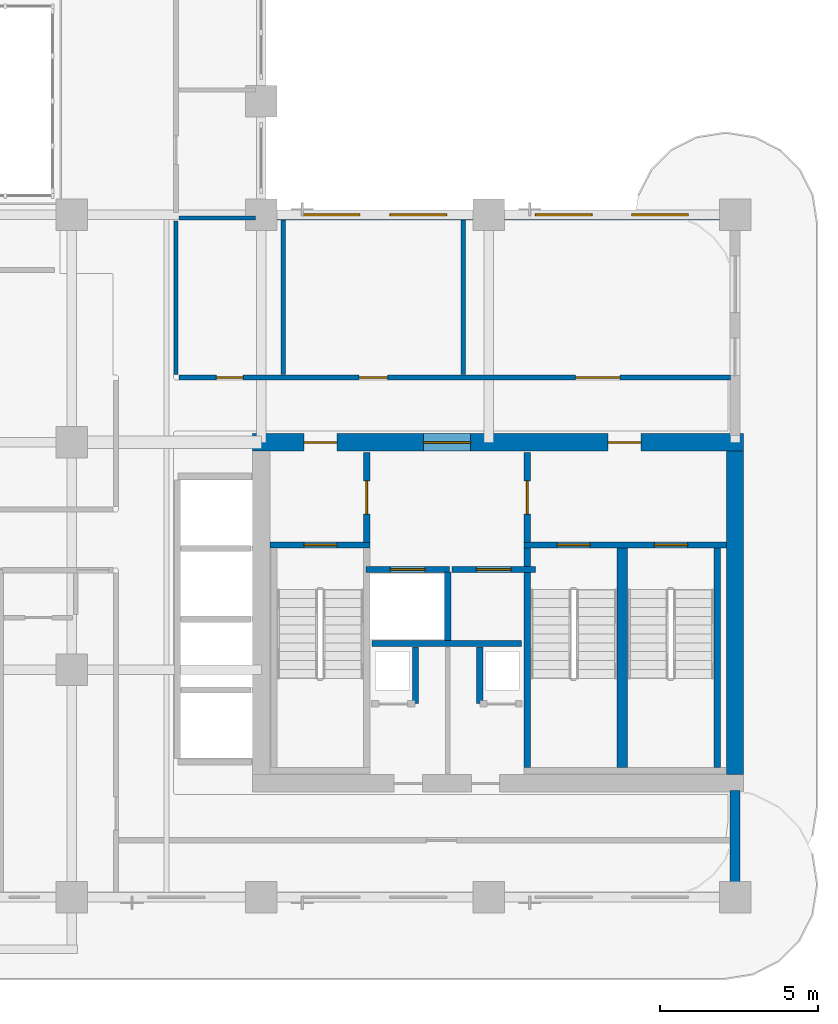
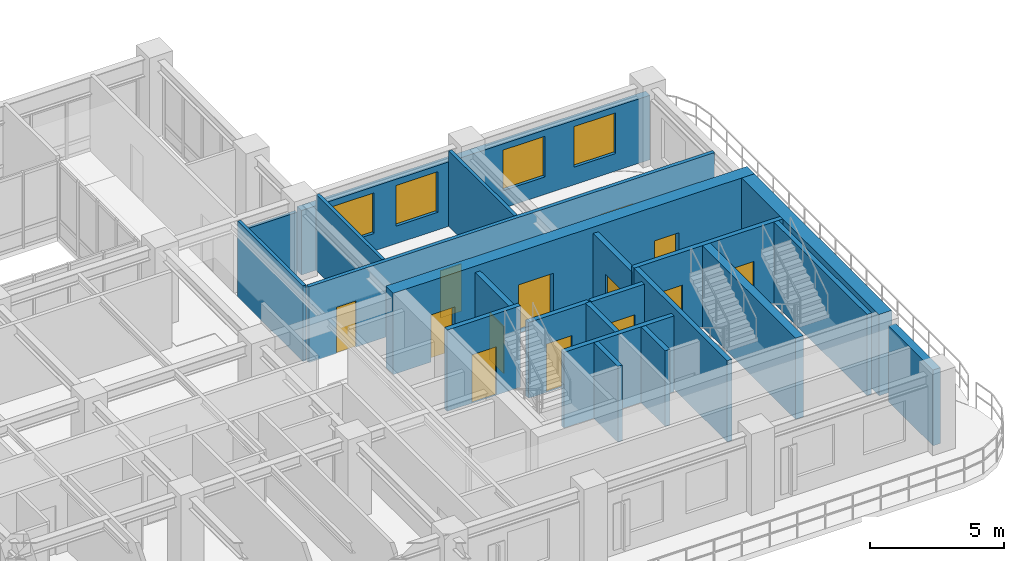
# One storey, part 13 of 20: 22 walls, 13 doors, 4 windows, 17 openings.
"""IFC4 building model written with IfcOpenShell, lengths in metres."""

from ifc_helpers import new_model, si_unit, derived_unit, direction, frame, frame_2d, origin, place, context, subcontext, project, spatial, rectangle, extrude, source, transform, mapped, material, layer, layer_set, type_object, type_shapes, element, fill, save


model = new_model("IFC4")

# Units and contexts
model_context = context("Model", 3, precision=1e-05, world=origin(), true_north=direction((0.0, 1.0)))
body_context = subcontext(model_context, "Body", "Model", "MODEL_VIEW")
ifc_project = project(units=[si_unit("LENGTHUNIT", "METRE"), si_unit("AREAUNIT", "SQUARE_METRE"), si_unit("VOLUMEUNIT", "CUBIC_METRE"), si_unit("PLANEANGLEUNIT", "RADIAN"), si_unit("MASSUNIT", "GRAM", prefix="KILO"), si_unit("THERMODYNAMICTEMPERATUREUNIT", "KELVIN"), si_unit("POWERUNIT", "WATT"), derived_unit("THERMALTRANSMITTANCEUNIT", [(si_unit("POWERUNIT", "WATT"), 1), (si_unit("AREAUNIT", "SQUARE_METRE"), -1), (si_unit("THERMODYNAMICTEMPERATUREUNIT", "KELVIN"), -1)])], contexts=[model_context])

# Site, building, storey
site_placement = place(None, origin())
site = spatial("IfcSite", under=ifc_project, at=site_placement, CompositionType="ELEMENT")
building_placement = place(site_placement, origin())
building = spatial("IfcBuilding", under=site, at=building_placement, Name="Zahravan Archway Hotel and Residences", CompositionType="ELEMENT")
storey_placement = place(building_placement, frame((0.0, 0.0, 122.89990234375)))
storey = spatial("IfcBuildingStorey", under=building, at=storey_placement, Name="L30", CompositionType="ELEMENT", Elevation=122.89990234375)

# Wall, openings, doors
ifc_material_1 = material(Name="Concrete C70/85", Category="concrete")
ifc_layer_1 = layer(ifc_material_1, 0.550048828125, Name="Concrete C70/85", Category="concrete")
ifc_layer_set_1 = layer_set([ifc_layer_1], Name="Concrete C70/85")
wall_type_1 = type_object("IfcWallType", Name="CW-CORE-550", PredefinedType="SHEAR", material=ifc_layer_set_1)
wall_1_placement = place(storey_placement, frame((34.52490234375, 14.39990234375, 0.0), z_axis=(0.0, 0.0, 1.0), x_axis=(1.0, 0.0, 0.0)))
wall_1 = element("IfcWall", 1, at=wall_1_placement, inside=storey, type_object=wall_type_1, Name="L30 Core A Shear N Wall 550 mm", PredefinedType="SHEAR", context=body_context, shape_type="SweptSolid", body=[
    extrude(rectangle(XDim=15.550048828125, YDim=0.550048828125, at=frame_2d((7.77490234375, 0.0))), origin(), (0.0, 0.0, 1.0), 3.7001953125),
])
opening_1_placement = place(wall_1_placement, frame((5.405029296875, 0.0, 0.0)))
opening_1 = element("IfcOpeningElement", 2, at=opening_1_placement, cuts=wall_1, Name="Opening FD-L1", PredefinedType="OPENING", context=body_context, shape_type="SweptSolid", body=[
    extrude(rectangle(XDim=1.5, YDim=2.199951171875, at=frame_2d((0.75, 1.10009765625))), frame((0.0, 0.28515625, 0.0), z_axis=(0.0, -1.0, 0.0), x_axis=(1.0, 0.0, 0.0)), (0.0, 0.0, 1.0), 0.570068359375),
])
opening_2_placement = place(wall_1_placement, frame((1.6201171875, 0.0, 0.0)))
opening_2 = element("IfcOpeningElement", 3, at=opening_2_placement, cuts=wall_1, Name="Opening FD-L2", PredefinedType="OPENING", context=body_context, shape_type="SweptSolid", body=[
    extrude(rectangle(XDim=1.050048828125, YDim=2.14990234375, at=frame_2d((0.52490234375, 1.074951171875))), frame((0.0, 0.28515625, 0.0), z_axis=(0.0, -1.0, 0.0), x_axis=(1.0, 0.0, 0.0)), (0.0, 0.0, 1.0), 0.570068359375),
])
opening_3_placement = place(wall_1_placement, frame((11.25, 0.0, 0.0)))
opening_3 = element("IfcOpeningElement", 4, at=opening_3_placement, cuts=wall_1, Name="Opening FD-L2", PredefinedType="OPENING", context=body_context, shape_type="SweptSolid", body=[
    extrude(rectangle(XDim=1.050048828125, YDim=2.14990234375, at=frame_2d((0.52490234375, 1.074951171875))), frame((0.0, 0.28515625, 0.0), z_axis=(0.0, -1.0, 0.0), x_axis=(1.0, 0.0, 0.0)), (0.0, 0.0, 1.0), 0.570068359375),
])
ifc_material_2 = material(Name="Fire-Rated Painted Steel", Category="steel")
door_type_1 = type_object("IfcDoorType", Name="FD-LOBBY-1100", OperationType="NOTDEFINED", PredefinedType="DOOR", material=ifc_material_2)
shared_shape_1 = source(origin(), body_context, "Body", "SweptSolid", [
    extrude(rectangle(XDim=1.050048828125, YDim=2.14990234375, at=frame_2d((0.52490234375, 1.074951171875))), frame((0.0, 0.02490234375, 0.0), z_axis=(0.0, -1.0, 0.0), x_axis=(1.0, 0.0, 0.0)), (0.0, 0.0, 1.0), 0.050048828125),
])
type_shapes(door_type_1, [shared_shape_1])
door_1_placement = place(opening_2_placement, origin())
door_1 = element("IfcDoor", 5, at=door_1_placement, inside=storey, type_object=door_type_1, Name="L30 Core A West Stair Lobby Door", OperationType="SINGLE_SWING_RIGHT", OverallHeight=2.14990234375, OverallWidth=1.050048828125, PredefinedType="DOOR", context=body_context, shape_type="MappedRepresentation", body=[
    mapped(shared_shape_1, transform((0.0, 0.0, 0.0), scale=1.0)),
])
fill(opening_2, door_1)
door_2_placement = place(opening_3_placement, origin())
door_2 = element("IfcDoor", 6, at=door_2_placement, inside=storey, type_object=door_type_1, Name="L30 Core A East Stair Lobby Door", OperationType="SINGLE_SWING_LEFT", OverallHeight=2.14990234375, OverallWidth=1.050048828125, PredefinedType="DOOR", context=body_context, shape_type="MappedRepresentation", body=[
    mapped(shared_shape_1, transform((0.0, 0.0, 0.0), scale=1.0)),
])
fill(opening_3, door_2)
door_type_2 = type_object("IfcDoorType", Name="FD-LOBBY-1500", OperationType="DOUBLE_DOOR_SINGLE_SWING", PredefinedType="DOOR", material=ifc_material_2)
shared_shape_2 = source(origin(), body_context, "Body", "SweptSolid", [
    extrude(rectangle(XDim=1.5, YDim=2.199951171875, at=frame_2d((0.75, 1.10009765625))), frame((0.0, 0.02490234375, 0.0), z_axis=(0.0, -1.0, 0.0), x_axis=(1.0, 0.0, 0.0)), (0.0, 0.0, 1.0), 0.050048828125),
])
type_shapes(door_type_2, [shared_shape_2])
door_3_placement = place(opening_1_placement, origin())
door_3 = element("IfcDoor", 7, at=door_3_placement, inside=storey, type_object=door_type_2, Name="L30 Core A FSAE Lobby Main Door", OperationType="DOUBLE_DOOR_SINGLE_SWING", OverallHeight=2.199951171875, OverallWidth=1.5, PredefinedType="DOOR", context=body_context, shape_type="MappedRepresentation", body=[
    mapped(shared_shape_2, transform((0.0, 0.0, 0.0), scale=1.0)),
])
fill(opening_1, door_3)

# Walls
wall_2_placement = place(storey_placement, frame((49.800048828125, 3.875, 0.0), z_axis=(0.0, 0.0, 1.0), x_axis=(0.0, 1.0, 0.0)))
element("IfcWall", 8, at=wall_2_placement, inside=storey, type_object=wall_type_1, Name="L30 Core A Shear E Wall 550 mm", PredefinedType="SHEAR", context=body_context, shape_type="SweptSolid", body=[
    extrude(rectangle(XDim=10.25, YDim=0.550048828125, at=frame_2d((5.125, 0.0))), origin(), (0.0, 0.0, 1.0), 3.7001953125),
])
ifc_material_3 = material(Name="Agra Buff Sandstone & Insulated Backup", Category="masonry")
ifc_layer_2 = layer(ifc_material_3, 0.320068359375, Name="Agra Buff Sandstone & Insulated Backup", Category="masonry")
ifc_layer_set_2 = layer_set([ifc_layer_2], Name="Agra Buff Sandstone & Insulated Backup")
wall_type_2 = type_object("IfcWallType", Name="EW-SAND-320", PredefinedType="SOLIDWALL", material=ifc_layer_set_2)
wall_3_placement = place(storey_placement, frame((49.800048828125, 0.050048828125, 0.0), z_axis=(0.0, 0.0, 1.0), x_axis=(0.0, 1.0, 0.0)))
element("IfcWall", 9, at=wall_3_placement, inside=storey, type_object=wall_type_2, Name="L30 Exterior Sandstone Wall WA-ES", PredefinedType="SOLIDWALL", context=body_context, shape_type="SweptSolid", body=[
    extrude(rectangle(XDim=3.329833984375, YDim=0.320068359375, at=frame_2d((1.6650390625, 0.0))), origin(), (0.0, 0.0, 1.0), 3.4501953125),
])

# Wall, openings, windows
wall_4_placement = place(storey_placement, frame((34.800048828125, 21.60009765625, 0.0), z_axis=(0.0, 0.0, 1.0), x_axis=(1.0, 0.0, 0.0)))
wall_4 = element("IfcWall", 10, at=wall_4_placement, inside=storey, type_object=wall_type_2, Name="L30 Exterior Sandstone Wall WA-NE", PredefinedType="SOLIDWALL", context=body_context, shape_type="SweptSolid", body=[
    extrude(rectangle(XDim=15.0, YDim=0.320068359375, at=frame_2d((7.5, 0.0))), origin(), (0.0, 0.0, 1.0), 2.93505859375),
])
opening_4_placement = place(wall_4_placement, frame((1.322998046875, 0.0, 0.800048828125)))
opening_4 = element("IfcOpeningElement", 11, at=opening_4_placement, cuts=wall_4, Name="Opening W-02", PredefinedType="OPENING", context=body_context, shape_type="SweptSolid", body=[
    extrude(rectangle(XDim=1.800048828125, YDim=1.85009765625, at=frame_2d((0.89990234375, 0.925048828125))), frame((0.0, 0.169921875, 0.0), z_axis=(0.0, -1.0, 0.0), x_axis=(1.0, 0.0, 0.0)), (0.0, 0.0, 1.0), 0.340087890625),
])
opening_5_placement = place(wall_4_placement, frame((4.069091796875, 0.0, 0.800048828125)))
opening_5 = element("IfcOpeningElement", 12, at=opening_5_placement, cuts=wall_4, Name="Opening W-02", PredefinedType="OPENING", context=body_context, shape_type="SweptSolid", body=[
    extrude(rectangle(XDim=1.800048828125, YDim=1.85009765625, at=frame_2d((0.89990234375, 0.925048828125))), frame((0.0, 0.169921875, 0.0), z_axis=(0.0, -1.0, 0.0), x_axis=(1.0, 0.0, 0.0)), (0.0, 0.0, 1.0), 0.340087890625),
])
opening_6_placement = place(wall_4_placement, frame((8.675048828125, 0.0, 0.800048828125)))
opening_6 = element("IfcOpeningElement", 13, at=opening_6_placement, cuts=wall_4, Name="Opening W-02", PredefinedType="OPENING", context=body_context, shape_type="SweptSolid", body=[
    extrude(rectangle(XDim=1.800048828125, YDim=1.85009765625, at=frame_2d((0.89990234375, 0.925048828125))), frame((0.0, 0.169921875, 0.0), z_axis=(0.0, -1.0, 0.0), x_axis=(1.0, 0.0, 0.0)), (0.0, 0.0, 1.0), 0.340087890625),
])
opening_7_placement = place(wall_4_placement, frame((11.72509765625, 0.0, 0.800048828125)))
opening_7 = element("IfcOpeningElement", 14, at=opening_7_placement, cuts=wall_4, Name="Opening W-02", PredefinedType="OPENING", context=body_context, shape_type="SweptSolid", body=[
    extrude(rectangle(XDim=1.800048828125, YDim=1.85009765625, at=frame_2d((0.89990234375, 0.925048828125))), frame((0.0, 0.169921875, 0.0), z_axis=(0.0, -1.0, 0.0), x_axis=(1.0, 0.0, 0.0)), (0.0, 0.0, 1.0), 0.340087890625),
])
ifc_material_4 = material(Name="Bronze-Anodized Thermal-Break Aluminium & Low-E Glass", Category="aluminium")
window_type = type_object("IfcWindowType", Name="WIN-TWR-1800", PartitioningType="DOUBLE_PANEL_VERTICAL", PredefinedType="WINDOW", material=ifc_material_4)
shared_shape_3 = source(origin(), body_context, "Body", "SweptSolid", [
    extrude(rectangle(XDim=1.800048828125, YDim=1.85009765625, at=frame_2d((0.89990234375, 0.925048828125))), frame((0.0, 0.030029296875, 0.0), z_axis=(0.0, -1.0, 0.0), x_axis=(1.0, 0.0, 0.0)), (0.0, 0.0, 1.0), 0.06005859375),
])
type_shapes(window_type, [shared_shape_3])
window_1_placement = place(opening_4_placement, origin())
window_1 = element("IfcWindow", 15, at=window_1_placement, inside=storey, type_object=window_type, Name="L30 Loggia Window 12", OverallHeight=1.85009765625, OverallWidth=1.800048828125, PartitioningType="DOUBLE_PANEL_VERTICAL", PredefinedType="WINDOW", context=body_context, shape_type="MappedRepresentation", body=[
    mapped(shared_shape_3, transform((0.0, 0.0, 0.0), scale=1.0)),
])
fill(opening_4, window_1)
window_2_placement = place(opening_5_placement, origin())
window_2 = element("IfcWindow", 16, at=window_2_placement, inside=storey, type_object=window_type, Name="L30 Loggia Window 13", OverallHeight=1.85009765625, OverallWidth=1.800048828125, PartitioningType="DOUBLE_PANEL_VERTICAL", PredefinedType="WINDOW", context=body_context, shape_type="MappedRepresentation", body=[
    mapped(shared_shape_3, transform((0.0, 0.0, 0.0), scale=1.0)),
])
fill(opening_5, window_2)
window_3_placement = place(opening_6_placement, origin())
window_3 = element("IfcWindow", 17, at=window_3_placement, inside=storey, type_object=window_type, Name="L30 Loggia Window 14", OverallHeight=1.85009765625, OverallWidth=1.800048828125, PartitioningType="DOUBLE_PANEL_VERTICAL", PredefinedType="WINDOW", context=body_context, shape_type="MappedRepresentation", body=[
    mapped(shared_shape_3, transform((0.0, 0.0, 0.0), scale=1.0)),
])
fill(opening_6, window_3)
window_4_placement = place(opening_7_placement, origin())
window_4 = element("IfcWindow", 18, at=window_4_placement, inside=storey, type_object=window_type, Name="L30 Loggia Window 15", OverallHeight=1.85009765625, OverallWidth=1.800048828125, PartitioningType="DOUBLE_PANEL_VERTICAL", PredefinedType="WINDOW", context=body_context, shape_type="MappedRepresentation", body=[
    mapped(shared_shape_3, transform((0.0, 0.0, 0.0), scale=1.0)),
])
fill(opening_7, window_4)

# Wall, opening, door
ifc_material_5 = material(Name="Fire-Rated Gypsum & Concrete Block", Category="concrete")
ifc_layer_3 = layer(ifc_material_5, 0.219970703125, Name="Fire-Rated Gypsum & Concrete Block", Category="concrete")
ifc_layer_set_3 = layer_set([ifc_layer_3], Name="Fire-Rated Gypsum & Concrete Block")
wall_type_3 = type_object("IfcWallType", Name="PW-COMP-220", PredefinedType="PARTITIONING", material=ifc_layer_set_3)
wall_5_placement = place(storey_placement, frame((38.139892578125, 11.219970703125, 0.0), z_axis=(0.0, 0.0, 1.0), x_axis=(0.0, 1.0, 0.0)))
wall_5 = element("IfcWall", 19, at=wall_5_placement, inside=storey, type_object=wall_type_3, Name="L30 Partition CA-LOBW", PredefinedType="PARTITIONING", context=body_context, shape_type="SweptSolid", body=[
    extrude(rectangle(XDim=2.860107421875, YDim=0.219970703125, at=frame_2d((1.43017578125, 0.0))), origin(), (0.0, 0.0, 1.0), 3.4501953125),
])
opening_8_placement = place(wall_5_placement, frame((0.905029296875, 0.0, 0.0)))
opening_8 = element("IfcOpeningElement", 20, at=opening_8_placement, cuts=wall_5, Name="Opening FD-L2", PredefinedType="OPENING", context=body_context, shape_type="SweptSolid", body=[
    extrude(rectangle(XDim=1.050048828125, YDim=2.14990234375, at=frame_2d((0.52490234375, 1.074951171875))), frame((0.0, 0.1201171875, 0.0), z_axis=(0.0, -1.0, 0.0), x_axis=(1.0, 0.0, 0.0)), (0.0, 0.0, 1.0), 0.239990234375),
])
door_4_placement = place(opening_8_placement, origin())
door_4 = element("IfcDoor", 21, at=door_4_placement, inside=storey, type_object=door_type_1, Name="L30 Core A West Stair to FSAE Lobby Door", OperationType="SINGLE_SWING_RIGHT", OverallHeight=2.14990234375, OverallWidth=1.050048828125, PredefinedType="DOOR", context=body_context, shape_type="MappedRepresentation", body=[
    mapped(shared_shape_1, transform((0.0, 0.0, 0.0), scale=1.0)),
])
fill(opening_8, door_4)

wall_6_placement = place(storey_placement, frame((43.219970703125, 11.219970703125, 0.0), z_axis=(0.0, 0.0, 1.0), x_axis=(0.0, 1.0, 0.0)))
wall_6 = element("IfcWall", 22, at=wall_6_placement, inside=storey, type_object=wall_type_3, Name="L30 Partition CA-LOBE", PredefinedType="PARTITIONING", context=body_context, shape_type="SweptSolid", body=[
    extrude(rectangle(XDim=2.860107421875, YDim=0.219970703125, at=frame_2d((1.43017578125, 0.0))), origin(), (0.0, 0.0, 1.0), 3.4501953125),
])
opening_9_placement = place(wall_6_placement, frame((0.905029296875, 0.0, 0.0)))
opening_9 = element("IfcOpeningElement", 23, at=opening_9_placement, cuts=wall_6, Name="Opening FD-L2", PredefinedType="OPENING", context=body_context, shape_type="SweptSolid", body=[
    extrude(rectangle(XDim=1.050048828125, YDim=2.14990234375, at=frame_2d((0.52490234375, 1.074951171875))), frame((0.0, 0.1201171875, 0.0), z_axis=(0.0, -1.0, 0.0), x_axis=(1.0, 0.0, 0.0)), (0.0, 0.0, 1.0), 0.239990234375),
])
door_5_placement = place(opening_9_placement, origin())
door_5 = element("IfcDoor", 24, at=door_5_placement, inside=storey, type_object=door_type_1, Name="L30 Core A East Stair to FSAE Lobby Door", OperationType="SINGLE_SWING_LEFT", OverallHeight=2.14990234375, OverallWidth=1.050048828125, PredefinedType="DOOR", context=body_context, shape_type="MappedRepresentation", body=[
    mapped(shared_shape_1, transform((0.0, 0.0, 0.0), scale=1.0)),
])
fill(opening_9, door_5)

# Wall, openings, doors
ifc_layer_4 = layer(ifc_material_5, 0.159912109375, Name="Fire-Rated Gypsum & Concrete Block", Category="concrete")
ifc_layer_set_4 = layer_set([ifc_layer_4], Name="Fire-Rated Gypsum & Concrete Block")
wall_type_4 = type_object("IfcWallType", Name="PW-CORR-160", PredefinedType="PARTITIONING", material=ifc_layer_set_4)
wall_7_placement = place(storey_placement, frame((32.18994140625, 16.449951171875, 0.0), z_axis=(0.0, 0.0, 1.0), x_axis=(1.0, 0.0, 0.0)))
wall_7 = element("IfcWall", 25, at=wall_7_placement, inside=storey, type_object=wall_type_4, Name="L30 Partition WA-FN", PredefinedType="PARTITIONING", context=body_context, shape_type="SweptSolid", body=[
    extrude(rectangle(XDim=17.469970703125, YDim=0.159912109375, at=frame_2d((8.73486328125, 0.0))), origin(), (0.0, 0.0, 1.0), 3.4501953125),
])
opening_10_placement = place(wall_7_placement, frame((1.18505859375, 0.0, 0.0)))
opening_10 = element("IfcOpeningElement", 26, at=opening_10_placement, cuts=wall_7, Name="Opening D-B1", PredefinedType="OPENING", context=body_context, shape_type="SweptSolid", body=[
    extrude(rectangle(XDim=0.85009765625, YDim=2.10009765625, at=frame_2d((0.425048828125, 1.050048828125))), frame((0.0, 0.08984375, 0.0), z_axis=(0.0, -1.0, 0.0), x_axis=(1.0, 0.0, 0.0)), (0.0, 0.0, 1.0), 0.179931640625),
])
opening_11_placement = place(wall_7_placement, frame((5.7099609375, 0.0, 0.0)))
opening_11 = element("IfcOpeningElement", 27, at=opening_11_placement, cuts=wall_7, Name="Opening D-I2", PredefinedType="OPENING", context=body_context, shape_type="SweptSolid", body=[
    extrude(rectangle(XDim=0.89990234375, YDim=2.14990234375, at=frame_2d((0.449951171875, 1.074951171875))), frame((0.0, 0.08984375, 0.0), z_axis=(0.0, -1.0, 0.0), x_axis=(1.0, 0.0, 0.0)), (0.0, 0.0, 1.0), 0.179931640625),
])
opening_12_placement = place(wall_7_placement, frame((12.56005859375, 0.0, 0.0)))
opening_12 = element("IfcOpeningElement", 28, at=opening_12_placement, cuts=wall_7, Name="Opening D-P1", PredefinedType="OPENING", context=body_context, shape_type="SweptSolid", body=[
    extrude(rectangle(XDim=1.39990234375, YDim=2.35009765625, at=frame_2d((0.699951171875, 1.175048828125))), frame((0.0, 0.08984375, 0.0), z_axis=(0.0, -1.0, 0.0), x_axis=(1.0, 0.0, 0.0)), (0.0, 0.0, 1.0), 0.179931640625),
])
ifc_material_6 = material(Name="Hardwood Veneer Timber", Category="wood")
door_type_3 = type_object("IfcDoorType", Name="ID-BATH-850", OperationType="NOTDEFINED", PredefinedType="DOOR", material=ifc_material_6)
shared_shape_4 = source(origin(), body_context, "Body", "SweptSolid", [
    extrude(rectangle(XDim=0.85009765625, YDim=2.10009765625, at=frame_2d((0.425048828125, 1.050048828125))), frame((0.0, 0.02490234375, 0.0), z_axis=(0.0, -1.0, 0.0), x_axis=(1.0, 0.0, 0.0)), (0.0, 0.0, 1.0), 0.050048828125),
])
type_shapes(door_type_3, [shared_shape_4])
door_6_placement = place(opening_10_placement, origin())
door_6 = element("IfcDoor", 29, at=door_6_placement, inside=storey, type_object=door_type_3, Name="L30 Accessible Floor Restroom Door", OperationType="SINGLE_SWING_LEFT", OverallHeight=2.10009765625, OverallWidth=0.85009765625, PredefinedType="DOOR", context=body_context, shape_type="MappedRepresentation", body=[
    mapped(shared_shape_4, transform((0.0, 0.0, 0.0), scale=1.0)),
])
fill(opening_10, door_6)
ifc_material_7 = material(Name="Bronze-Anodized Glazed Aluminium", Category="aluminium")
door_type_4 = type_object("IfcDoorType", Name="ID-PUBLIC-1400", OperationType="DOUBLE_DOOR_SINGLE_SWING", PredefinedType="DOOR", material=ifc_material_7)
shared_shape_5 = source(origin(), body_context, "Body", "SweptSolid", [
    extrude(rectangle(XDim=1.39990234375, YDim=2.35009765625, at=frame_2d((0.699951171875, 1.175048828125))), frame((0.0, 0.02490234375, 0.0), z_axis=(0.0, -1.0, 0.0), x_axis=(1.0, 0.0, 0.0)), (0.0, 0.0, 1.0), 0.050048828125),
])
type_shapes(door_type_4, [shared_shape_5])
door_7_placement = place(opening_12_placement, origin())
door_7 = element("IfcDoor", 30, at=door_7_placement, inside=storey, type_object=door_type_4, Name="L30 Co-Working Room Door", OperationType="DOUBLE_DOOR_SINGLE_SWING", OverallHeight=2.35009765625, OverallWidth=1.39990234375, PredefinedType="DOOR", context=body_context, shape_type="MappedRepresentation", body=[
    mapped(shared_shape_5, transform((0.0, 0.0, 0.0), scale=1.0)),
])
fill(opening_12, door_7)
door_type_5 = type_object("IfcDoorType", Name="ID-INT-900", OperationType="NOTDEFINED", PredefinedType="DOOR", material=ifc_material_6)
shared_shape_6 = source(origin(), body_context, "Body", "SweptSolid", [
    extrude(rectangle(XDim=0.89990234375, YDim=2.14990234375, at=frame_2d((0.449951171875, 1.074951171875))), frame((0.0, 0.02490234375, 0.0), z_axis=(0.0, -1.0, 0.0), x_axis=(1.0, 0.0, 0.0)), (0.0, 0.0, 1.0), 0.050048828125),
])
type_shapes(door_type_5, [shared_shape_6])
door_8_placement = place(opening_11_placement, origin())
door_8 = element("IfcDoor", 31, at=door_8_placement, inside=storey, type_object=door_type_5, Name="L30 Tea Servery Door", OperationType="SINGLE_SWING_RIGHT", OverallHeight=2.14990234375, OverallWidth=0.89990234375, PredefinedType="DOOR", context=body_context, shape_type="MappedRepresentation", body=[
    mapped(shared_shape_6, transform((0.0, 0.0, 0.0), scale=1.0)),
])
fill(opening_11, door_8)

# Walls
ifc_layer_5 = layer(ifc_material_5, 0.199951171875, Name="Fire-Rated Gypsum & Concrete Block", Category="concrete")
ifc_layer_set_5 = layer_set([ifc_layer_5], Name="Fire-Rated Gypsum & Concrete Block")
wall_type_5 = type_object("IfcWallType", Name="PW-SHAFT-200", PredefinedType="PARTITIONING", material=ifc_layer_set_5)
wall_8_placement = place(storey_placement, frame((38.300048828125, 8.030029296875, 0.0), z_axis=(0.0, 0.0, 1.0), x_axis=(1.0, 0.0, 0.0)))
element("IfcWall", 32, at=wall_8_placement, inside=storey, type_object=wall_type_5, Name="L30 Partition CA-FLS", PredefinedType="PARTITIONING", context=body_context, shape_type="SweptSolid", body=[
    extrude(rectangle(XDim=4.739990234375, YDim=0.199951171875, at=frame_2d((2.3701171875, 0.0))), origin(), (0.0, 0.0, 1.0), 3.4501953125),
])
wall_9_placement = place(storey_placement, frame((40.699951171875, 8.1201171875, 0.0), z_axis=(0.0, 0.0, 1.0), x_axis=(0.0, 1.0, 0.0)))
element("IfcWall", 33, at=wall_9_placement, inside=storey, type_object=wall_type_5, Name="L30 Partition CA-FLM", PredefinedType="PARTITIONING", context=body_context, shape_type="SweptSolid", body=[
    extrude(rectangle(XDim=2.179931640625, YDim=0.199951171875, at=frame_2d((1.08984375, 0.0))), origin(), (0.0, 0.0, 1.0), 3.4501953125),
])
for number, where, z_axis, x_axis, name in (
    (34, (39.679931640625, 6.1298828125, 0.0), (0.0, 0.0, 1.0), (0.0, 1.0, 0.0), "L30 Partition CA-SMKE"),
    (35, (41.719970703125, 6.1298828125, 0.0), (0.0, 0.0, 1.0), (0.0, 1.0, 0.0), "L30 Partition CA-MEPW"),
):
    element("IfcWall", number, at=place(storey_placement, frame(where, z_axis=z_axis, x_axis=x_axis)), inside=storey, type_object=wall_type_5, Name=name, PredefinedType="PARTITIONING", context=body_context, shape_type="SweptSolid", body=[
        extrude(rectangle(XDim=1.7900390625, YDim=0.199951171875, at=frame_2d((0.89501953125, 0.0))), origin(), (0.0, 0.0, 1.0), 3.4501953125),
    ])

# Wall, opening, door
wall_10_placement = place(storey_placement, frame((38.1201171875, 10.3701171875, 0.0), z_axis=(0.0, 0.0, 1.0), x_axis=(1.0, 0.0, 0.0)))
wall_10 = element("IfcWall", 36, at=wall_10_placement, inside=storey, type_object=wall_type_5, Name="L30 Lift FL-1 Front Wall", PredefinedType="PARTITIONING", context=body_context, shape_type="SweptSolid", body=[
    extrude(rectangle(XDim=2.639892578125, YDim=0.199951171875, at=frame_2d((1.31982421875, 0.0))), origin(), (0.0, 0.0, 1.0), 3.4501953125),
])
opening_13_placement = place(wall_10_placement, frame((0.77001953125, 0.0, 0.0)))
opening_13 = element("IfcOpeningElement", 37, at=opening_13_placement, cuts=wall_10, Name="Opening LD", PredefinedType="OPENING", context=body_context, shape_type="SweptSolid", body=[
    extrude(rectangle(XDim=1.10009765625, YDim=2.199951171875, at=frame_2d((0.550048828125, 1.10009765625))), frame((0.0, 0.10986328125, 0.0), z_axis=(0.0, -1.0, 0.0), x_axis=(1.0, 0.0, 0.0)), (0.0, 0.0, 1.0), 0.219970703125),
])
ifc_material_8 = material(Name="Brushed Stainless Steel", Category="steel")
door_type_6 = type_object("IfcDoorType", Name="DR-LIFT-LD", OperationType="SLIDING_TO_LEFT", PredefinedType="DOOR", material=ifc_material_8)
shared_shape_7 = source(origin(), body_context, "Body", "SweptSolid", [
    extrude(rectangle(XDim=1.10009765625, YDim=2.199951171875, at=frame_2d((0.550048828125, 1.10009765625))), frame((0.0, 0.02490234375, 0.0), z_axis=(0.0, -1.0, 0.0), x_axis=(1.0, 0.0, 0.0)), (0.0, 0.0, 1.0), 0.050048828125),
])
type_shapes(door_type_6, [shared_shape_7])
door_9_placement = place(opening_13_placement, origin())
door_9 = element("IfcDoor", 38, at=door_9_placement, inside=storey, type_object=door_type_6, Name="L30 Lift FL-1 Sliding Landing Door", OperationType="SLIDING_TO_LEFT", OverallHeight=2.199951171875, OverallWidth=1.10009765625, PredefinedType="DOOR", context=body_context, shape_type="MappedRepresentation", body=[
    mapped(shared_shape_7, transform((0.0, 0.0, 0.0), scale=1.0)),
])
fill(opening_13, door_9)

wall_11_placement = place(storey_placement, frame((40.840087890625, 10.3701171875, 0.0), z_axis=(0.0, 0.0, 1.0), x_axis=(1.0, 0.0, 0.0)))
wall_11 = element("IfcWall", 39, at=wall_11_placement, inside=storey, type_object=wall_type_5, Name="L30 Lift FL-2 Front Wall", PredefinedType="PARTITIONING", context=body_context, shape_type="SweptSolid", body=[
    extrude(rectangle(XDim=2.639892578125, YDim=0.199951171875, at=frame_2d((1.31982421875, 0.0))), origin(), (0.0, 0.0, 1.0), 3.4501953125),
])
opening_14_placement = place(wall_11_placement, frame((0.77001953125, 0.0, 0.0)))
opening_14 = element("IfcOpeningElement", 40, at=opening_14_placement, cuts=wall_11, Name="Opening LD", PredefinedType="OPENING", context=body_context, shape_type="SweptSolid", body=[
    extrude(rectangle(XDim=1.10009765625, YDim=2.199951171875, at=frame_2d((0.550048828125, 1.10009765625))), frame((0.0, 0.10986328125, 0.0), z_axis=(0.0, -1.0, 0.0), x_axis=(1.0, 0.0, 0.0)), (0.0, 0.0, 1.0), 0.219970703125),
])
door_10_placement = place(opening_14_placement, origin())
door_10 = element("IfcDoor", 41, at=door_10_placement, inside=storey, type_object=door_type_6, Name="L30 Lift FL-2 Sliding Landing Door", OperationType="SLIDING_TO_LEFT", OverallHeight=2.199951171875, OverallWidth=1.10009765625, PredefinedType="DOOR", context=body_context, shape_type="MappedRepresentation", body=[
    mapped(shared_shape_7, transform((0.0, 0.0, 0.0), scale=1.0)),
])
fill(opening_14, door_10)

# Walls
ifc_material_9 = material(Name="Moisture-Resistant Blockwork", Category="masonry")
ifc_layer_6 = layer(ifc_material_9, 0.139892578125, Name="Moisture-Resistant Blockwork", Category="masonry")
ifc_layer_set_6 = layer_set([ifc_layer_6], Name="Moisture-Resistant Blockwork")
wall_type_6 = type_object("IfcWallType", Name="PW-WET-140", PredefinedType="PARTITIONING", material=ifc_layer_set_6)
wall_12_placement = place(storey_placement, frame((32.10009765625, 16.5400390625, 0.0), z_axis=(0.0, 0.0, 1.0), x_axis=(0.0, 1.0, 0.0)))
element("IfcWall", 42, at=wall_12_placement, inside=storey, type_object=wall_type_6, Name="L30 Partition NE-W0", PredefinedType="PARTITIONING", context=body_context, shape_type="SweptSolid", body=[
    extrude(rectangle(XDim=4.869873046875, YDim=0.139892578125, at=frame_2d((2.43505859375, 0.0))), origin(), (0.0, 0.0, 1.0), 3.4501953125),
])
for number, where, z_axis, x_axis, name in (
    (43, (35.5, 16.5400390625, 0.0), (0.0, 0.0, 1.0), (0.0, 1.0, 0.0), "L30 Partition NE0-1"),
    (44, (41.199951171875, 16.5400390625, 0.0), (0.0, 0.0, 1.0), (0.0, 1.0, 0.0), "L30 Partition NE0-2"),
):
    element("IfcWall", number, at=place(storey_placement, frame(where, z_axis=z_axis, x_axis=x_axis)), inside=storey, type_object=wall_type_6, Name=name, PredefinedType="PARTITIONING", context=body_context, shape_type="SweptSolid", body=[
        extrude(rectangle(XDim=4.891845703125, YDim=0.139892578125, at=frame_2d((2.44580078125, 0.0))), origin(), (0.0, 0.0, 1.0), 3.4501953125),
    ])
wall_13_placement = place(storey_placement, frame((32.18994140625, 21.5, 0.0), z_axis=(0.0, 0.0, 1.0), x_axis=(1.0, 0.0, 0.0)))
element("IfcWall", 45, at=wall_13_placement, inside=storey, type_object=wall_type_6, Name="L30 Partition ATR-ES", PredefinedType="PARTITIONING", context=body_context, shape_type="SweptSolid", body=[
    extrude(rectangle(XDim=2.420166015625, YDim=0.139892578125, at=frame_2d((1.2099609375, 0.0))), origin(), (0.0, 0.0, 1.0), 2.93505859375),
])

# Wall, opening, door
ifc_material_10 = material(Name="Concrete C50/60", Category="concrete")
ifc_layer_7 = layer(ifc_material_10, 0.199951171875, Name="Concrete C50/60", Category="concrete")
ifc_layer_set_7 = layer_set([ifc_layer_7], Name="Concrete C50/60")
wall_type_7 = type_object("IfcWallType", Name="SW-STAIR-200", PredefinedType="SHEAR", material=ifc_layer_set_7)
wall_14_placement = place(storey_placement, frame((35.074951171875, 11.14990234375, 0.0), z_axis=(0.0, 0.0, 1.0), x_axis=(1.0, 0.0, 0.0)))
wall_14 = element("IfcWall", 46, at=wall_14_placement, inside=storey, type_object=wall_type_7, Name="L30 Stairwell RC Wall CA-SA1N", PredefinedType="SHEAR", context=body_context, shape_type="SweptSolid", body=[
    extrude(rectangle(XDim=3.1650390625, YDim=0.199951171875, at=frame_2d((1.58251953125, 0.0))), origin(), (0.0, 0.0, 1.0), 3.7001953125),
])
opening_15_placement = place(wall_14_placement, frame((1.070068359375, 0.0, 0.0)))
opening_15 = element("IfcOpeningElement", 47, at=opening_15_placement, cuts=wall_14, Name="Opening FD-S1", PredefinedType="OPENING", context=body_context, shape_type="SweptSolid", body=[
    extrude(rectangle(XDim=1.050048828125, YDim=2.199951171875, at=frame_2d((0.52490234375, 1.10009765625))), frame((0.0, 0.10986328125, 0.0), z_axis=(0.0, -1.0, 0.0), x_axis=(1.0, 0.0, 0.0)), (0.0, 0.0, 1.0), 0.219970703125),
])
door_type_7 = type_object("IfcDoorType", Name="FD-STAIR-1100", OperationType="NOTDEFINED", PredefinedType="DOOR", material=ifc_material_2)
shared_shape_8 = source(origin(), body_context, "Body", "SweptSolid", [
    extrude(rectangle(XDim=1.050048828125, YDim=2.199951171875, at=frame_2d((0.52490234375, 1.10009765625))), frame((0.0, 0.02490234375, 0.0), z_axis=(0.0, -1.0, 0.0), x_axis=(1.0, 0.0, 0.0)), (0.0, 0.0, 1.0), 0.050048828125),
])
type_shapes(door_type_7, [shared_shape_8])
door_11_placement = place(opening_15_placement, origin())
door_11 = element("IfcDoor", 48, at=door_11_placement, inside=storey, type_object=door_type_7, Name="L30 Stair ST-A1 Door", OperationType="SINGLE_SWING_LEFT", OverallHeight=2.199951171875, OverallWidth=1.050048828125, PredefinedType="DOOR", context=body_context, shape_type="MappedRepresentation", body=[
    mapped(shared_shape_8, transform((0.0, 0.0, 0.0), scale=1.0)),
])
fill(opening_15, door_11)

# Walls
for number, where, z_axis, x_axis, name in (
    (49, (43.219970703125, 4.10009765625, 0.0), (0.0, 0.0, 1.0), (0.0, 1.0, 0.0), "L30 Stairwell RC Wall CA-SA2W"),
    (50, (49.239990234375, 4.10009765625, 0.0), (0.0, 0.0, 1.0), (0.0, 1.0, 0.0), "L30 Stairwell RC Wall CA-SA3E"),
):
    element("IfcWall", number, at=place(storey_placement, frame(where, z_axis=z_axis, x_axis=x_axis)), inside=storey, type_object=wall_type_7, Name=name, PredefinedType="SHEAR", context=body_context, shape_type="SweptSolid", body=[
        extrude(rectangle(XDim=6.949951171875, YDim=0.199951171875, at=frame_2d((3.47509765625, 0.0))), origin(), (0.0, 0.0, 1.0), 3.7001953125),
    ])

# Wall, openings, doors
wall_15_placement = place(storey_placement, frame((43.1201171875, 11.14990234375, 0.0), z_axis=(0.0, 0.0, 1.0), x_axis=(1.0, 0.0, 0.0)))
wall_15 = element("IfcWall", 51, at=wall_15_placement, inside=storey, type_object=wall_type_7, Name="L30 Stairwell RC Wall CA-SA23N", PredefinedType="SHEAR", context=body_context, shape_type="SweptSolid", body=[
    extrude(rectangle(XDim=6.40478515625, YDim=0.199951171875, at=frame_2d((3.202392578125, 0.0))), origin(), (0.0, 0.0, 1.0), 3.7001953125),
])
opening_16_placement = place(wall_15_placement, frame((1.044921875, 0.0, 0.0)))
opening_16 = element("IfcOpeningElement", 52, at=opening_16_placement, cuts=wall_15, Name="Opening FD-S1", PredefinedType="OPENING", context=body_context, shape_type="SweptSolid", body=[
    extrude(rectangle(XDim=1.050048828125, YDim=2.199951171875, at=frame_2d((0.52490234375, 1.10009765625))), frame((0.0, 0.10986328125, 0.0), z_axis=(0.0, -1.0, 0.0), x_axis=(1.0, 0.0, 0.0)), (0.0, 0.0, 1.0), 0.219970703125),
])
opening_17_placement = place(wall_15_placement, frame((4.125, 0.0, 0.0)))
opening_17 = element("IfcOpeningElement", 53, at=opening_17_placement, cuts=wall_15, Name="Opening FD-S1", PredefinedType="OPENING", context=body_context, shape_type="SweptSolid", body=[
    extrude(rectangle(XDim=1.050048828125, YDim=2.199951171875, at=frame_2d((0.52490234375, 1.10009765625))), frame((0.0, 0.10986328125, 0.0), z_axis=(0.0, -1.0, 0.0), x_axis=(1.0, 0.0, 0.0)), (0.0, 0.0, 1.0), 0.219970703125),
])
door_12_placement = place(opening_16_placement, origin())
door_12 = element("IfcDoor", 54, at=door_12_placement, inside=storey, type_object=door_type_7, Name="L30 Stair ST-A2 Door", OperationType="SINGLE_SWING_RIGHT", OverallHeight=2.199951171875, OverallWidth=1.050048828125, PredefinedType="DOOR", context=body_context, shape_type="MappedRepresentation", body=[
    mapped(shared_shape_8, transform((0.0, 0.0, 0.0), scale=1.0)),
])
fill(opening_16, door_12)
door_13_placement = place(opening_17_placement, origin())
door_13 = element("IfcDoor", 55, at=door_13_placement, inside=storey, type_object=door_type_7, Name="L30 Stair ST-A3 Door", OperationType="SINGLE_SWING_LEFT", OverallHeight=2.199951171875, OverallWidth=1.050048828125, PredefinedType="DOOR", context=body_context, shape_type="MappedRepresentation", body=[
    mapped(shared_shape_8, transform((0.0, 0.0, 0.0), scale=1.0)),
])
fill(opening_17, door_13)

# Wall
ifc_layer_8 = layer(ifc_material_10, 0.340087890625, Name="Concrete C50/60", Category="concrete")
ifc_layer_set_8 = layer_set([ifc_layer_8], Name="Concrete C50/60")
wall_type_8 = type_object("IfcWallType", Name="SW-STAIR-340", PredefinedType="SHEAR", material=ifc_layer_set_8)
wall_16_placement = place(storey_placement, frame((46.22998046875, 4.10009765625, 0.0), z_axis=(0.0, 0.0, 1.0), x_axis=(0.0, 1.0, 0.0)))
element("IfcWall", 56, at=wall_16_placement, inside=storey, type_object=wall_type_8, Name="L30 Stairwell RC Wall CA-SA23M", PredefinedType="SHEAR", context=body_context, shape_type="SweptSolid", body=[
    extrude(rectangle(XDim=6.949951171875, YDim=0.340087890625, at=frame_2d((3.47509765625, 0.0))), origin(), (0.0, 0.0, 1.0), 3.7001953125),
])

save(model, "model.ifc")
